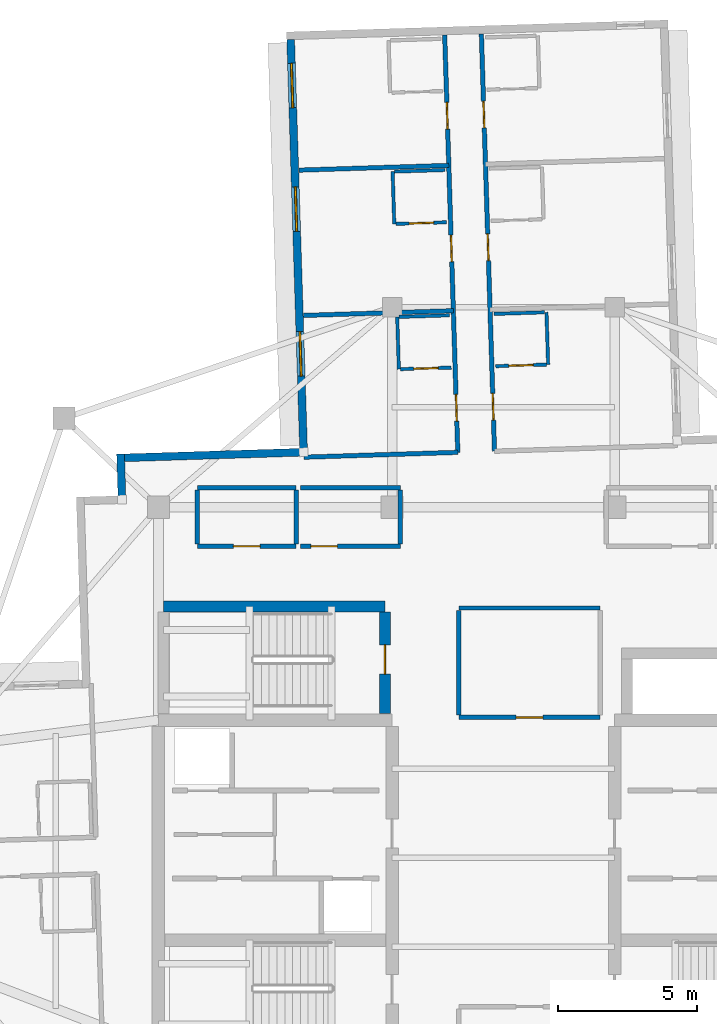
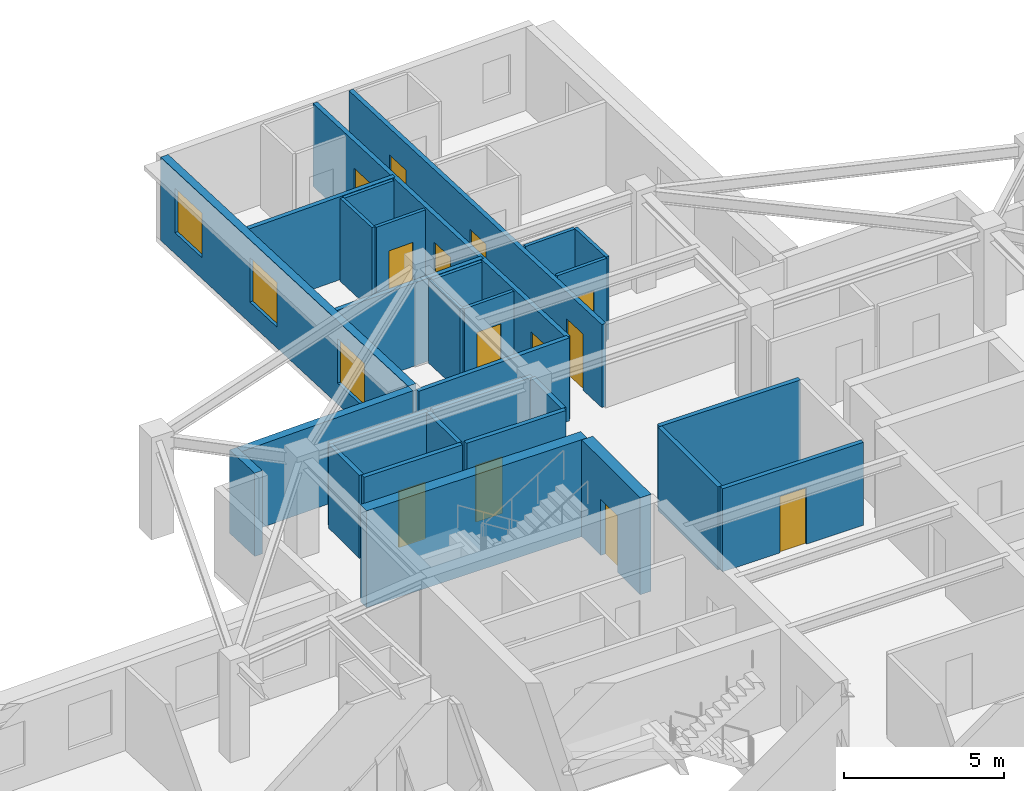
# One storey, part 7 of 13: 29 walls, 13 doors, 3 windows, 16 openings.
"""IFC4 building model written with IfcOpenShell, lengths in metres."""

from ifc_helpers import new_model, si_unit, direction, frame, frame_2d, origin, place, context, subcontext, project, spatial, rectangle, extrude, material, layer, layer_set, type_object, element, fill, save


model = new_model("IFC4")

# Units and contexts
model_context = context("Model", 3, precision=1e-05, world=origin(), true_north=direction((0.0, 1.0)))
body_context = subcontext(model_context, "Body", "Model", "MODEL_VIEW")
ifc_project = project(units=[si_unit("LENGTHUNIT", "METRE"), si_unit("AREAUNIT", "SQUARE_METRE"), si_unit("VOLUMEUNIT", "CUBIC_METRE"), si_unit("PLANEANGLEUNIT", "RADIAN"), si_unit("MASSUNIT", "GRAM", prefix="KILO")], contexts=[model_context])

# Site, building, storey
site_placement = place(None, origin())
site = spatial("IfcSite", under=ifc_project, at=site_placement, CompositionType="ELEMENT")
building_placement = place(site_placement, origin())
building = spatial("IfcBuilding", under=site, at=building_placement, Name="Qingluan Cross Belvedere", CompositionType="ELEMENT")
storey_placement = place(building_placement, frame((0.0, 0.0, 273.300048828125)))
storey = spatial("IfcBuildingStorey", under=building, at=storey_placement, Name="L68", CompositionType="ELEMENT", Elevation=273.300048828125)

# Wall
ifc_material_1 = material(Name="Concrete C50", Category="concrete")
ifc_layer_1 = layer(ifc_material_1, 0.449951171875, Name="CoreShearWall_450")
ifc_layer_set_1 = layer_set([ifc_layer_1], Name="Concrete C50")
wall_type_1 = type_object("IfcWallType", Name="CoreShearWall_450", PredefinedType="SHEAR", material=ifc_layer_set_1)
wall_1_placement = place(storey_placement, frame((-12.219970703125, 9.0400390625, 0.0), z_axis=(0.0, 0.0, 1.0), x_axis=(1.0, 0.0, 0.0)))
element("IfcWall", 1, at=wall_1_placement, inside=storey, type_object=wall_type_1, Name="Stair ST3 structural wall N L68", PredefinedType="SHEAR", context=body_context, shape_type="SweptSolid", body=[
    extrude(rectangle(XDim=7.9599609375, YDim=0.39990234375, at=frame_2d((3.97998046875, 0.0))), origin(), (0.0, 0.0, 1.0), 3.699951171875),
])

# Wall, opening, door
wall_2_placement = place(storey_placement, frame((-4.260009765625, 5.179931640625, 0.0), z_axis=(0.0, 0.0, 1.0), x_axis=(0.0, 1.0, 0.0)))
wall_2 = element("IfcWall", 2, at=wall_2_placement, inside=storey, type_object=wall_type_1, Name="Stair ST3 structural wall E L68", PredefinedType="SHEAR", context=body_context, shape_type="SweptSolid", body=[
    extrude(rectangle(XDim=3.655029296875, YDim=0.39990234375, at=frame_2d((1.82763671875, 0.0))), origin(), (0.0, 0.0, 1.0), 3.699951171875),
])
opening_1_placement = place(wall_2_placement, frame((1.419921875, 0.0, 0.0)))
opening_1 = element("IfcOpeningElement", 3, at=opening_1_placement, cuts=wall_2, Name="Opening FD-B11", PredefinedType="OPENING", context=body_context, shape_type="SweptSolid", body=[
    extrude(rectangle(XDim=1.050048828125, YDim=2.14990234375, at=frame_2d((0.52490234375, 1.074951171875))), frame((0.0, 0.2099609375, 0.0), z_axis=(0.0, -1.0, 0.0), x_axis=(1.0, 0.0, 0.0)), (0.0, 0.0, 1.0), 0.419921875),
])
ifc_material_2 = material(Name="Steel Class B smoke-seal fire door", Category="steel")
door_type_1 = type_object("IfcDoorType", Name="StairLobbyFireDoor_FDB", OperationType="NOTDEFINED", PredefinedType="DOOR", material=ifc_material_2)
door_1_placement = place(opening_1_placement, origin())
door_1 = element("IfcDoor", 4, at=door_1_placement, inside=storey, type_object=door_type_1, Name="Smoke-proof stair ST3 fire door L68", OperationType="SINGLE_SWING_RIGHT", OverallHeight=2.14990234375, OverallWidth=1.050048828125, PredefinedType="DOOR", context=body_context, shape_type="SweptSolid", body=[
    extrude(rectangle(XDim=1.050048828125, YDim=2.14990234375, at=frame_2d((0.52490234375, 1.074951171875))), frame((0.0, 0.02490234375, 0.0), z_axis=(0.0, -1.0, 0.0), x_axis=(1.0, 0.0, 0.0)), (0.0, 0.0, 1.0), 0.050048828125),
])
fill(opening_1, door_1)

ifc_material_3 = material(Name="Gypsum plasterboard on steel stud acoustic partition", Category="steel")
ifc_layer_2 = layer(ifc_material_3, 0.159912109375, Name="CorridorPartition_160")
ifc_layer_set_2 = layer_set([ifc_layer_2], Name="Gypsum plasterboard on steel stud acoustic partition")
wall_type_2 = type_object("IfcWallType", Name="CorridorPartition_160", PredefinedType="PARTITIONING", material=ifc_layer_set_2)
wall_3_placement = place(storey_placement, frame((-11.0, 11.199951171875, 0.0), z_axis=(0.0, 0.0, 1.0), x_axis=(1.0, 0.0, 0.0)))
wall_3 = element("IfcWall", 5, at=wall_3_placement, inside=storey, type_object=wall_type_2, Name="Partition L68:q_nw1:S", PredefinedType="PARTITIONING", context=body_context, shape_type="SweptSolid", body=[
    extrude(rectangle(XDim=3.550048828125, YDim=0.159912109375, at=frame_2d((1.77490234375, 0.0))), origin(), (0.0, 0.0, 1.0), 3.169921875),
])
opening_2_placement = place(wall_3_placement, frame((1.294921875, 0.0, 0.0)))
opening_2 = element("IfcOpeningElement", 6, at=opening_2_placement, cuts=wall_3, Name="Opening GD-10", PredefinedType="OPENING", context=body_context, shape_type="SweptSolid", body=[
    extrude(rectangle(XDim=0.9599609375, YDim=2.14990234375, at=frame_2d((0.47998046875, 1.074951171875))), frame((0.0, 0.08984375, 0.0), z_axis=(0.0, -1.0, 0.0), x_axis=(1.0, 0.0, 0.0)), (0.0, 0.0, 1.0), 0.179931640625),
])
ifc_material_4 = material(Name="Timber oak fire-rated acoustic guestroom door", Category="wood")
door_type_2 = type_object("IfcDoorType", Name="GuestEntryDoor_FD60", OperationType="NOTDEFINED", PredefinedType="DOOR", material=ifc_material_4)
door_2_placement = place(opening_2_placement, origin())
door_2 = element("IfcDoor", 7, at=door_2_placement, inside=storey, type_object=door_type_2, Name="Northwest sky parlor L68 door", OperationType="SINGLE_SWING_RIGHT", OverallHeight=2.14990234375, OverallWidth=0.9599609375, PredefinedType="DOOR", context=body_context, shape_type="SweptSolid", body=[
    extrude(rectangle(XDim=0.9599609375, YDim=2.14990234375, at=frame_2d((0.47998046875, 1.074951171875))), frame((0.0, 0.02490234375, 0.0), z_axis=(0.0, -1.0, 0.0), x_axis=(1.0, 0.0, 0.0)), (0.0, 0.0, 1.0), 0.050048828125),
])
fill(opening_2, door_2)

# Walls
wall_4_placement = place(storey_placement, frame((-11.0, 13.300048828125, 0.0), z_axis=(0.0, 0.0, 1.0), x_axis=(1.0, 0.0, 0.0)))
element("IfcWall", 8, at=wall_4_placement, inside=storey, type_object=wall_type_2, Name="Partition L68:q_nw1:N", PredefinedType="PARTITIONING", context=body_context, shape_type="SweptSolid", body=[
    extrude(rectangle(XDim=3.550048828125, YDim=0.159912109375, at=frame_2d((1.77490234375, 0.0))), origin(), (0.0, 0.0, 1.0), 3.169921875),
])
for number, where, z_axis, x_axis, name in (
    (9, (-11.0, 11.284912109375, 0.0), (0.0, 0.0, 1.0), (0.0, 1.0, 0.0), "Partition L68:q_nw1:W"),
    (10, (-7.449951171875, 11.284912109375, 0.0), (0.0, 0.0, 1.0), (0.0, 1.0, 0.0), "Partition L68:q_nw1:E"),
):
    element("IfcWall", number, at=place(storey_placement, frame(where, z_axis=z_axis, x_axis=x_axis)), inside=storey, type_object=wall_type_2, Name=name, PredefinedType="PARTITIONING", context=body_context, shape_type="SweptSolid", body=[
        extrude(rectangle(XDim=1.93017578125, YDim=0.159912109375, at=frame_2d((0.965087890625, 0.0))), origin(), (0.0, 0.0, 1.0), 3.169921875),
    ])

# Wall, opening, door
wall_5_placement = place(storey_placement, frame((-7.2900390625, 11.199951171875, 0.0), z_axis=(0.0, 0.0, 1.0), x_axis=(1.0, 0.0, 0.0)))
wall_5 = element("IfcWall", 11, at=wall_5_placement, inside=storey, type_object=wall_type_2, Name="Partition L68:q_nw2:S", PredefinedType="PARTITIONING", context=body_context, shape_type="SweptSolid", body=[
    extrude(rectangle(XDim=3.590087890625, YDim=0.159912109375, at=frame_2d((1.794921875, 0.0))), origin(), (0.0, 0.0, 1.0), 3.169921875),
])
opening_3_placement = place(wall_5_placement, frame((0.364990234375, 0.0, 0.0)))
opening_3 = element("IfcOpeningElement", 12, at=opening_3_placement, cuts=wall_5, Name="Opening GD-10", PredefinedType="OPENING", context=body_context, shape_type="SweptSolid", body=[
    extrude(rectangle(XDim=0.9599609375, YDim=2.14990234375, at=frame_2d((0.47998046875, 1.074951171875))), frame((0.0, 0.08984375, 0.0), z_axis=(0.0, -1.0, 0.0), x_axis=(1.0, 0.0, 0.0)), (0.0, 0.0, 1.0), 0.179931640625),
])
door_3_placement = place(opening_3_placement, origin())
door_3 = element("IfcDoor", 13, at=door_3_placement, inside=storey, type_object=door_type_2, Name="Northwest study salon L68 door", OperationType="SINGLE_SWING_LEFT", OverallHeight=2.14990234375, OverallWidth=0.9599609375, PredefinedType="DOOR", context=body_context, shape_type="SweptSolid", body=[
    extrude(rectangle(XDim=0.9599609375, YDim=2.14990234375, at=frame_2d((0.47998046875, 1.074951171875))), frame((0.0, 0.02490234375, 0.0), z_axis=(0.0, -1.0, 0.0), x_axis=(1.0, 0.0, 0.0)), (0.0, 0.0, 1.0), 0.050048828125),
])
fill(opening_3, door_3)

# Walls
wall_6_placement = place(storey_placement, frame((-7.2900390625, 13.300048828125, 0.0), z_axis=(0.0, 0.0, 1.0), x_axis=(1.0, 0.0, 0.0)))
element("IfcWall", 14, at=wall_6_placement, inside=storey, type_object=wall_type_2, Name="Partition L68:q_nw2:N", PredefinedType="PARTITIONING", context=body_context, shape_type="SweptSolid", body=[
    extrude(rectangle(XDim=3.590087890625, YDim=0.159912109375, at=frame_2d((1.794921875, 0.0))), origin(), (0.0, 0.0, 1.0), 3.169921875),
])
wall_7_placement = place(storey_placement, frame((-3.699951171875, 11.284912109375, 0.0), z_axis=(0.0, 0.0, 1.0), x_axis=(0.0, 1.0, 0.0)))
element("IfcWall", 15, at=wall_7_placement, inside=storey, type_object=wall_type_2, Name="Partition L68:q_nw2:E", PredefinedType="PARTITIONING", context=body_context, shape_type="SweptSolid", body=[
    extrude(rectangle(XDim=1.93017578125, YDim=0.159912109375, at=frame_2d((0.965087890625, 0.0))), origin(), (0.0, 0.0, 1.0), 3.169921875),
])

# Wall, opening, door
wall_8_placement = place(storey_placement, frame((-1.60009765625, 5.050048828125, 0.0), z_axis=(0.0, 0.0, 1.0), x_axis=(1.0, 0.0, 0.0)))
wall_8 = element("IfcWall", 16, at=wall_8_placement, inside=storey, type_object=wall_type_2, Name="Partition L68:sky_tea_alcove:S", PredefinedType="PARTITIONING", context=body_context, shape_type="SweptSolid", body=[
    extrude(rectangle(XDim=5.080078125, YDim=0.159912109375, at=frame_2d((2.5400390625, 0.0))), origin(), (0.0, 0.0, 1.0), 3.169921875),
])
opening_4_placement = place(wall_8_placement, frame((2.06005859375, 0.0, 0.0)))
opening_4 = element("IfcOpeningElement", 17, at=opening_4_placement, cuts=wall_8, Name="Opening GD-10", PredefinedType="OPENING", context=body_context, shape_type="SweptSolid", body=[
    extrude(rectangle(XDim=0.9599609375, YDim=2.14990234375, at=frame_2d((0.47998046875, 1.074951171875))), frame((0.0, 0.08984375, 0.0), z_axis=(0.0, -1.0, 0.0), x_axis=(1.0, 0.0, 0.0)), (0.0, 0.0, 1.0), 0.179931640625),
])
door_4_placement = place(opening_4_placement, origin())
door_4 = element("IfcDoor", 18, at=door_4_placement, inside=storey, type_object=door_type_2, Name="Sky horizon tea salon L68 door", OperationType="SINGLE_SWING_LEFT", OverallHeight=2.14990234375, OverallWidth=0.9599609375, PredefinedType="DOOR", context=body_context, shape_type="SweptSolid", body=[
    extrude(rectangle(XDim=0.9599609375, YDim=2.14990234375, at=frame_2d((0.47998046875, 1.074951171875))), frame((0.0, 0.02490234375, 0.0), z_axis=(0.0, -1.0, 0.0), x_axis=(1.0, 0.0, 0.0)), (0.0, 0.0, 1.0), 0.050048828125),
])
fill(opening_4, door_4)

# Walls
wall_9_placement = place(storey_placement, frame((-1.60009765625, 8.97998046875, 0.0), z_axis=(0.0, 0.0, 1.0), x_axis=(1.0, 0.0, 0.0)))
element("IfcWall", 19, at=wall_9_placement, inside=storey, type_object=wall_type_2, Name="Partition L68:sky_tea_alcove:N", PredefinedType="PARTITIONING", context=body_context, shape_type="SweptSolid", body=[
    extrude(rectangle(XDim=5.080078125, YDim=0.159912109375, at=frame_2d((2.5400390625, 0.0))), origin(), (0.0, 0.0, 1.0), 3.169921875),
])
wall_10_placement = place(storey_placement, frame((-1.60009765625, 5.135009765625, 0.0), z_axis=(0.0, 0.0, 1.0), x_axis=(0.0, 1.0, 0.0)))
element("IfcWall", 20, at=wall_10_placement, inside=storey, type_object=wall_type_2, Name="Partition L68:sky_tea_alcove:W", PredefinedType="PARTITIONING", context=body_context, shape_type="SweptSolid", body=[
    extrude(rectangle(XDim=3.760009765625, YDim=0.159912109375, at=frame_2d((1.8798828125, 0.0))), origin(), (0.0, 0.0, 1.0), 3.169921875),
])

# Wall, openings, doors
wall_11_placement = place(storey_placement, frame((-0.3193359375, 14.6171875, 0.0), z_axis=(0.0, 0.0, 1.0), x_axis=(-0.03142007044, 0.999506267701, 0.0)))
wall_11 = element("IfcWall", 21, at=wall_11_placement, inside=storey, type_object=wall_type_2, Name="Partition L68:N:c0", PredefinedType="PARTITIONING", context=body_context, shape_type="SweptSolid", body=[
    extrude(rectangle(XDim=15.011962890625, YDim=0.159912109375, at=frame_2d((7.505859375, 0.0))), origin(), (0.0, 0.0, 1.0), 3.169921875),
])
opening_5_placement = place(wall_11_placement, frame((1.1220703125, 0.0, 0.0)))
opening_5 = element("IfcOpeningElement", 22, at=opening_5_placement, cuts=wall_11, Name="Opening GD-10", PredefinedType="OPENING", context=body_context, shape_type="SweptSolid", body=[
    extrude(rectangle(XDim=0.9599609375, YDim=2.14990234375, at=frame_2d((0.47998046875, 1.074951171875))), frame((0.0, 0.08984375, 0.0), z_axis=(0.0, -1.0, 0.0), x_axis=(1.0, 0.0, 0.0)), (0.0, 0.0, 1.0), 0.179931640625),
])
opening_6_placement = place(wall_11_placement, frame((6.85791015625, 0.0, 0.0)))
opening_6 = element("IfcOpeningElement", 23, at=opening_6_placement, cuts=wall_11, Name="Opening GD-10", PredefinedType="OPENING", context=body_context, shape_type="SweptSolid", body=[
    extrude(rectangle(XDim=0.9599609375, YDim=2.14990234375, at=frame_2d((0.47998046875, 1.074951171875))), frame((0.0, 0.08984375, 0.0), z_axis=(0.0, -1.0, 0.0), x_axis=(1.0, 0.0, 0.0)), (0.0, 0.0, 1.0), 0.179931640625),
])
opening_7_placement = place(wall_11_placement, frame((11.6279296875, 0.0, 0.0)))
opening_7 = element("IfcOpeningElement", 24, at=opening_7_placement, cuts=wall_11, Name="Opening GD-10", PredefinedType="OPENING", context=body_context, shape_type="SweptSolid", body=[
    extrude(rectangle(XDim=0.9599609375, YDim=2.14990234375, at=frame_2d((0.47998046875, 1.074951171875))), frame((0.0, 0.08984375, 0.0), z_axis=(0.0, -1.0, 0.0), x_axis=(1.0, 0.0, 0.0)), (0.0, 0.0, 1.0), 0.179931640625),
])
door_5_placement = place(opening_5_placement, origin())
door_5 = element("IfcDoor", 25, at=door_5_placement, inside=storey, type_object=door_type_2, Name="Guest entry fire door 6809", OperationType="SINGLE_SWING_LEFT", OverallHeight=2.14990234375, OverallWidth=0.9599609375, PredefinedType="DOOR", context=body_context, shape_type="SweptSolid", body=[
    extrude(rectangle(XDim=0.9599609375, YDim=2.14990234375, at=frame_2d((0.47998046875, 1.074951171875))), frame((0.0, 0.02490234375, 0.0), z_axis=(0.0, -1.0, 0.0), x_axis=(1.0, 0.0, 0.0)), (0.0, 0.0, 1.0), 0.050048828125),
])
fill(opening_5, door_5)
door_6_placement = place(opening_6_placement, origin())
door_6 = element("IfcDoor", 26, at=door_6_placement, inside=storey, type_object=door_type_2, Name="Guest entry fire door 6810", OperationType="SINGLE_SWING_LEFT", OverallHeight=2.14990234375, OverallWidth=0.9599609375, PredefinedType="DOOR", context=body_context, shape_type="SweptSolid", body=[
    extrude(rectangle(XDim=0.9599609375, YDim=2.14990234375, at=frame_2d((0.47998046875, 1.074951171875))), frame((0.0, 0.02490234375, 0.0), z_axis=(0.0, -1.0, 0.0), x_axis=(1.0, 0.0, 0.0)), (0.0, 0.0, 1.0), 0.050048828125),
])
fill(opening_6, door_6)
door_7_placement = place(opening_7_placement, origin())
door_7 = element("IfcDoor", 27, at=door_7_placement, inside=storey, type_object=door_type_2, Name="Guest entry fire door 6811", OperationType="SINGLE_SWING_LEFT", OverallHeight=2.14990234375, OverallWidth=0.9599609375, PredefinedType="DOOR", context=body_context, shape_type="SweptSolid", body=[
    extrude(rectangle(XDim=0.9599609375, YDim=2.14990234375, at=frame_2d((0.47998046875, 1.074951171875))), frame((0.0, 0.02490234375, 0.0), z_axis=(0.0, -1.0, 0.0), x_axis=(1.0, 0.0, 0.0)), (0.0, 0.0, 1.0), 0.050048828125),
])
fill(opening_7, door_7)

wall_12_placement = place(storey_placement, frame((-1.638671875, 14.57568359375, 0.0), z_axis=(0.0, 0.0, 1.0), x_axis=(-0.031403823507, 0.999506778301, 0.0)))
wall_12 = element("IfcWall", 28, at=wall_12_placement, inside=storey, type_object=wall_type_2, Name="Partition L68:N:c1", PredefinedType="PARTITIONING", context=body_context, shape_type="SweptSolid", body=[
    extrude(rectangle(XDim=15.011962890625, YDim=0.159912109375, at=frame_2d((7.505859375, 0.0))), origin(), (0.0, 0.0, 1.0), 3.169921875),
])
opening_8_placement = place(wall_12_placement, frame((1.1220703125, 0.0, 0.0)))
opening_8 = element("IfcOpeningElement", 29, at=opening_8_placement, cuts=wall_12, Name="Opening GD-10", PredefinedType="OPENING", context=body_context, shape_type="SweptSolid", body=[
    extrude(rectangle(XDim=0.9599609375, YDim=2.14990234375, at=frame_2d((0.47998046875, 1.074951171875))), frame((0.0, 0.08984375, 0.0), z_axis=(0.0, -1.0, 0.0), x_axis=(1.0, 0.0, 0.0)), (0.0, 0.0, 1.0), 0.179931640625),
])
opening_9_placement = place(wall_12_placement, frame((6.85791015625, 0.0, 0.0)))
opening_9 = element("IfcOpeningElement", 30, at=opening_9_placement, cuts=wall_12, Name="Opening GD-10", PredefinedType="OPENING", context=body_context, shape_type="SweptSolid", body=[
    extrude(rectangle(XDim=0.9599609375, YDim=2.14990234375, at=frame_2d((0.47998046875, 1.074951171875))), frame((0.0, 0.08984375, 0.0), z_axis=(0.0, -1.0, 0.0), x_axis=(1.0, 0.0, 0.0)), (0.0, 0.0, 1.0), 0.179931640625),
])
opening_10_placement = place(wall_12_placement, frame((11.6279296875, 0.0, 0.0)))
opening_10 = element("IfcOpeningElement", 31, at=opening_10_placement, cuts=wall_12, Name="Opening GD-10", PredefinedType="OPENING", context=body_context, shape_type="SweptSolid", body=[
    extrude(rectangle(XDim=0.9599609375, YDim=2.14990234375, at=frame_2d((0.47998046875, 1.074951171875))), frame((0.0, 0.08984375, 0.0), z_axis=(0.0, -1.0, 0.0), x_axis=(1.0, 0.0, 0.0)), (0.0, 0.0, 1.0), 0.179931640625),
])
door_8_placement = place(opening_8_placement, origin())
door_8 = element("IfcDoor", 32, at=door_8_placement, inside=storey, type_object=door_type_2, Name="Guest entry fire door 6812", OperationType="SINGLE_SWING_LEFT", OverallHeight=2.14990234375, OverallWidth=0.9599609375, PredefinedType="DOOR", context=body_context, shape_type="SweptSolid", body=[
    extrude(rectangle(XDim=0.9599609375, YDim=2.14990234375, at=frame_2d((0.47998046875, 1.074951171875))), frame((0.0, 0.02490234375, 0.0), z_axis=(0.0, -1.0, 0.0), x_axis=(1.0, 0.0, 0.0)), (0.0, 0.0, 1.0), 0.050048828125),
])
fill(opening_8, door_8)
door_9_placement = place(opening_9_placement, origin())
door_9 = element("IfcDoor", 33, at=door_9_placement, inside=storey, type_object=door_type_2, Name="Guest entry fire door 6813", OperationType="SINGLE_SWING_LEFT", OverallHeight=2.14990234375, OverallWidth=0.9599609375, PredefinedType="DOOR", context=body_context, shape_type="SweptSolid", body=[
    extrude(rectangle(XDim=0.9599609375, YDim=2.14990234375, at=frame_2d((0.47998046875, 1.074951171875))), frame((0.0, 0.02490234375, 0.0), z_axis=(0.0, -1.0, 0.0), x_axis=(1.0, 0.0, 0.0)), (0.0, 0.0, 1.0), 0.050048828125),
])
fill(opening_9, door_9)
door_10_placement = place(opening_10_placement, origin())
door_10 = element("IfcDoor", 34, at=door_10_placement, inside=storey, type_object=door_type_2, Name="Guest entry fire door 6814", OperationType="SINGLE_SWING_LEFT", OverallHeight=2.14990234375, OverallWidth=0.9599609375, PredefinedType="DOOR", context=body_context, shape_type="SweptSolid", body=[
    extrude(rectangle(XDim=0.9599609375, YDim=2.14990234375, at=frame_2d((0.47998046875, 1.074951171875))), frame((0.0, 0.02490234375, 0.0), z_axis=(0.0, -1.0, 0.0), x_axis=(1.0, 0.0, 0.0)), (0.0, 0.0, 1.0), 0.050048828125),
])
fill(opening_10, door_10)

# Walls
wall_13_placement = place(storey_placement, frame((-1.638671875, 14.57568359375, 0.0), z_axis=(0.0, 0.0, 1.0), x_axis=(-0.999506211244, -0.031421866341, 0.0)))
element("IfcWall", 35, at=wall_13_placement, inside=storey, type_object=wall_type_2, Name="Partition L68:N:s1", PredefinedType="PARTITIONING", context=body_context, shape_type="SweptSolid", body=[
    extrude(rectangle(XDim=5.539794921875, YDim=0.159912109375, at=frame_2d((2.77001953125, 0.0))), origin(), (0.0, 0.0, 1.0), 3.169921875),
])
for number, where, z_axis, x_axis, name in (
    (36, (-1.798583984375, 19.667236328125, 0.0), (0.0, 0.0, 1.0), (-0.999506183343, -0.03142275385, 0.0), "Partition L68:N:d1_0"),
    (37, (-1.962890625, 24.8916015625, 0.0), (0.0, 0.0, 1.0), (-0.999506183343, -0.03142275385, 0.0), "Partition L68:N:d1_1"),
):
    element("IfcWall", number, at=place(storey_placement, frame(where, z_axis=z_axis, x_axis=x_axis)), inside=storey, type_object=wall_type_2, Name=name, PredefinedType="PARTITIONING", context=body_context, shape_type="SweptSolid", body=[
        extrude(rectangle(XDim=5.39208984375, YDim=0.159912109375, at=frame_2d((2.696044921875, 0.0))), origin(), (0.0, 0.0, 1.0), 3.169921875),
    ])

# Wall, opening, door
ifc_material_5 = material(Name="Moisture-resistant gypsum board lining")
ifc_layer_3 = layer(ifc_material_5, 0.1201171875, Name="EnsuiteWetPartition_120")
ifc_layer_set_3 = layer_set([ifc_layer_3], Name="Moisture-resistant gypsum board lining")
wall_type_3 = type_object("IfcWallType", Name="EnsuiteWetPartition_120", PredefinedType="PARTITIONING", material=ifc_layer_set_3)
wall_14_placement = place(storey_placement, frame((-0.275390625, 17.674072265625, 0.0), z_axis=(0.0, 0.0, 1.0), x_axis=(0.999507221803, 0.031389704724, 0.0)))
wall_14 = element("IfcWall", 38, at=wall_14_placement, inside=storey, type_object=wall_type_3, Name="Partition L68:N:bs0_0", PredefinedType="PARTITIONING", context=body_context, shape_type="SweptSolid", body=[
    extrude(rectangle(XDim=1.820068359375, YDim=0.1201171875, at=frame_2d((0.91015625, 0.0))), origin(), (0.0, 0.0, 1.0), 3.169921875),
])
opening_11_placement = place(wall_14_placement, frame((0.469970703125, 0.0, 0.0)))
opening_11 = element("IfcOpeningElement", 39, at=opening_11_placement, cuts=wall_14, Name="Opening BD-09", PredefinedType="OPENING", context=body_context, shape_type="SweptSolid", body=[
    extrude(rectangle(XDim=0.8798828125, YDim=2.10009765625, at=frame_2d((0.43994140625, 1.050048828125))), frame((0.0, 0.070068359375, 0.0), z_axis=(0.0, -1.0, 0.0), x_axis=(1.0, 0.0, 0.0)), (0.0, 0.0, 1.0), 0.14013671875),
])
ifc_material_6 = material(Name="Moisture-sealed timber en-suite door", Category="wood")
door_type_3 = type_object("IfcDoorType", Name="BathroomDoor_880", OperationType="NOTDEFINED", PredefinedType="DOOR", material=ifc_material_6)
door_11_placement = place(opening_11_placement, origin())
door_11 = element("IfcDoor", 40, at=door_11_placement, inside=storey, type_object=door_type_3, Name="Bathroom door 6809", OperationType="SINGLE_SWING_RIGHT", OverallHeight=2.10009765625, OverallWidth=0.8798828125, PredefinedType="DOOR", context=body_context, shape_type="SweptSolid", body=[
    extrude(rectangle(XDim=0.8798828125, YDim=2.10009765625, at=frame_2d((0.43994140625, 1.050048828125))), frame((0.0, 0.02490234375, 0.0), z_axis=(0.0, -1.0, 0.0), x_axis=(1.0, 0.0, 0.0)), (0.0, 0.0, 1.0), 0.050048828125),
])
fill(opening_11, door_11)

# Walls
wall_15_placement = place(storey_placement, frame((-0.334228515625, 19.552978515625, 0.0), z_axis=(0.0, 0.0, 1.0), x_axis=(0.999503004171, 0.03152371574, 0.0)))
element("IfcWall", 41, at=wall_15_placement, inside=storey, type_object=wall_type_3, Name="Partition L68:N:bw0_0", PredefinedType="PARTITIONING", context=body_context, shape_type="SweptSolid", body=[
    extrude(rectangle(XDim=1.820068359375, YDim=0.1201171875, at=frame_2d((0.91015625, 0.0))), origin(), (0.0, 0.0, 1.0), 3.169921875),
])
wall_16_placement = place(storey_placement, frame((1.60888671875, 17.7333984375, 0.0), z_axis=(0.0, 0.0, 1.0), x_axis=(-0.031429371883, 0.999505975261, 0.0)))
element("IfcWall", 42, at=wall_16_placement, inside=storey, type_object=wall_type_3, Name="Partition L68:N:bn0_0", PredefinedType="PARTITIONING", context=body_context, shape_type="SweptSolid", body=[
    extrude(rectangle(XDim=1.8798828125, YDim=0.1201171875, at=frame_2d((0.93994140625, 0.0))), origin(), (0.0, 0.0, 1.0), 3.169921875),
])

# Wall, opening, door
wall_17_placement = place(storey_placement, frame((-3.693603515625, 17.566650390625, 0.0), z_axis=(0.0, 0.0, 1.0), x_axis=(0.999507221803, 0.031389704724, 0.0)))
wall_17 = element("IfcWall", 43, at=wall_17_placement, inside=storey, type_object=wall_type_3, Name="Partition L68:N:bs1_0", PredefinedType="PARTITIONING", context=body_context, shape_type="SweptSolid", body=[
    extrude(rectangle(XDim=1.820068359375, YDim=0.1201171875, at=frame_2d((0.91015625, 0.0))), origin(), (0.0, 0.0, 1.0), 3.169921875),
])
opening_12_placement = place(wall_17_placement, frame((0.469970703125, 0.0, 0.0)))
opening_12 = element("IfcOpeningElement", 44, at=opening_12_placement, cuts=wall_17, Name="Opening BD-09", PredefinedType="OPENING", context=body_context, shape_type="SweptSolid", body=[
    extrude(rectangle(XDim=0.8798828125, YDim=2.10009765625, at=frame_2d((0.43994140625, 1.050048828125))), frame((0.0, 0.070068359375, 0.0), z_axis=(0.0, -1.0, 0.0), x_axis=(1.0, 0.0, 0.0)), (0.0, 0.0, 1.0), 0.14013671875),
])
door_12_placement = place(opening_12_placement, origin())
door_12 = element("IfcDoor", 45, at=door_12_placement, inside=storey, type_object=door_type_3, Name="Bathroom door 6812", OperationType="SINGLE_SWING_RIGHT", OverallHeight=2.10009765625, OverallWidth=0.8798828125, PredefinedType="DOOR", context=body_context, shape_type="SweptSolid", body=[
    extrude(rectangle(XDim=0.8798828125, YDim=2.10009765625, at=frame_2d((0.43994140625, 1.050048828125))), frame((0.0, 0.02490234375, 0.0), z_axis=(0.0, -1.0, 0.0), x_axis=(1.0, 0.0, 0.0)), (0.0, 0.0, 1.0), 0.050048828125),
])
fill(opening_12, door_12)

# Walls
wall_18_placement = place(storey_placement, frame((-3.752685546875, 19.44580078125, 0.0), z_axis=(0.0, 0.0, 1.0), x_axis=(0.999507221803, 0.031389704724, 0.0)))
element("IfcWall", 46, at=wall_18_placement, inside=storey, type_object=wall_type_3, Name="Partition L68:N:bw1_0", PredefinedType="PARTITIONING", context=body_context, shape_type="SweptSolid", body=[
    extrude(rectangle(XDim=1.820068359375, YDim=0.1201171875, at=frame_2d((0.91015625, 0.0))), origin(), (0.0, 0.0, 1.0), 3.169921875),
])
wall_19_placement = place(storey_placement, frame((-3.758544921875, 17.564697265625, 0.0), z_axis=(0.0, 0.0, 1.0), x_axis=(-0.031429371883, 0.999505975261, 0.0)))
element("IfcWall", 47, at=wall_19_placement, inside=storey, type_object=wall_type_3, Name="Partition L68:N:bc1_0", PredefinedType="PARTITIONING", context=body_context, shape_type="SweptSolid", body=[
    extrude(rectangle(XDim=1.8798828125, YDim=0.1201171875, at=frame_2d((0.93994140625, 0.0))), origin(), (0.0, 0.0, 1.0), 3.169921875),
])

# Wall, opening, door
wall_20_placement = place(storey_placement, frame((-3.85791015625, 22.791015625, 0.0), z_axis=(0.0, 0.0, 1.0), x_axis=(0.999507221803, 0.031389704724, 0.0)))
wall_20 = element("IfcWall", 48, at=wall_20_placement, inside=storey, type_object=wall_type_3, Name="Partition L68:N:bs1_1", PredefinedType="PARTITIONING", context=body_context, shape_type="SweptSolid", body=[
    extrude(rectangle(XDim=1.820068359375, YDim=0.1201171875, at=frame_2d((0.91015625, 0.0))), origin(), (0.0, 0.0, 1.0), 3.169921875),
])
opening_13_placement = place(wall_20_placement, frame((0.469970703125, 0.0, 0.0)))
opening_13 = element("IfcOpeningElement", 49, at=opening_13_placement, cuts=wall_20, Name="Opening BD-09", PredefinedType="OPENING", context=body_context, shape_type="SweptSolid", body=[
    extrude(rectangle(XDim=0.8798828125, YDim=2.10009765625, at=frame_2d((0.43994140625, 1.050048828125))), frame((0.0, 0.070068359375, 0.0), z_axis=(0.0, -1.0, 0.0), x_axis=(1.0, 0.0, 0.0)), (0.0, 0.0, 1.0), 0.14013671875),
])
door_13_placement = place(opening_13_placement, origin())
door_13 = element("IfcDoor", 50, at=door_13_placement, inside=storey, type_object=door_type_3, Name="Bathroom door 6813", OperationType="SINGLE_SWING_RIGHT", OverallHeight=2.10009765625, OverallWidth=0.8798828125, PredefinedType="DOOR", context=body_context, shape_type="SweptSolid", body=[
    extrude(rectangle(XDim=0.8798828125, YDim=2.10009765625, at=frame_2d((0.43994140625, 1.050048828125))), frame((0.0, 0.02490234375, 0.0), z_axis=(0.0, -1.0, 0.0), x_axis=(1.0, 0.0, 0.0)), (0.0, 0.0, 1.0), 0.050048828125),
])
fill(opening_13, door_13)

# Walls
wall_21_placement = place(storey_placement, frame((-3.916748046875, 24.670166015625, 0.0), z_axis=(0.0, 0.0, 1.0), x_axis=(0.999507221803, 0.031389704724, 0.0)))
element("IfcWall", 51, at=wall_21_placement, inside=storey, type_object=wall_type_3, Name="Partition L68:N:bw1_1", PredefinedType="PARTITIONING", context=body_context, shape_type="SweptSolid", body=[
    extrude(rectangle(XDim=1.820068359375, YDim=0.1201171875, at=frame_2d((0.91015625, 0.0))), origin(), (0.0, 0.0, 1.0), 3.169921875),
])
wall_22_placement = place(storey_placement, frame((-3.9228515625, 22.7890625, 0.0), z_axis=(0.0, 0.0, 1.0), x_axis=(-0.031295563454, 0.999510173889, 0.0)))
element("IfcWall", 52, at=wall_22_placement, inside=storey, type_object=wall_type_3, Name="Partition L68:N:bc1_1", PredefinedType="PARTITIONING", context=body_context, shape_type="SweptSolid", body=[
    extrude(rectangle(XDim=1.880126953125, YDim=0.1201171875, at=frame_2d((0.93994140625, 0.0))), origin(), (0.0, 0.0, 1.0), 3.169921875),
])

# Wall, openings, windows
ifc_material_7 = material(Name="Precast concrete C45", Category="concrete")
ifc_layer_4 = layer(ifc_material_7, 0.280029296875, Name="PrecastFacadeWall_280")
ifc_layer_set_4 = layer_set([ifc_layer_4], Name="Precast concrete C45")
wall_type_4 = type_object("IfcWallType", Name="PrecastFacadeWall_280", PredefinedType="STANDARD", material=ifc_layer_set_4)
wall_23_placement = place(storey_placement, frame((-7.647705078125, 29.414306640625, 0.0), z_axis=(0.0, 0.0, 1.0), x_axis=(0.031405855522, -0.999506714454, 0.0)))
wall_23 = element("IfcWall", 53, at=wall_23_placement, inside=storey, type_object=wall_type_4, Name="Facade wall L68-NB", PredefinedType="STANDARD", context=body_context, shape_type="SweptSolid", body=[
    extrude(rectangle(XDim=14.7001953125, YDim=0.280029296875, at=frame_2d((7.35009765625, 0.0))), origin(), (0.0, 0.0, 1.0), 3.179931640625),
])
opening_14_placement = place(wall_23_placement, frame((0.85009765625, 0.0, 0.800048828125)))
opening_14 = element("IfcOpeningElement", 54, at=opening_14_placement, cuts=wall_23, Name="Opening W-04", PredefinedType="OPENING", context=body_context, shape_type="SweptSolid", body=[
    extrude(rectangle(XDim=1.60009765625, YDim=1.699951171875, at=frame_2d((0.800048828125, 0.85009765625))), frame((0.0, 0.14990234375, 0.0), z_axis=(0.0, -1.0, 0.0), x_axis=(1.0, 0.0, 0.0)), (0.0, 0.0, 1.0), 0.300048828125),
])
opening_15_placement = place(wall_23_placement, frame((5.300048828125, 0.0, 0.800048828125)))
opening_15 = element("IfcOpeningElement", 55, at=opening_15_placement, cuts=wall_23, Name="Opening W-04", PredefinedType="OPENING", context=body_context, shape_type="SweptSolid", body=[
    extrude(rectangle(XDim=1.60009765625, YDim=1.699951171875, at=frame_2d((0.800048828125, 0.85009765625))), frame((0.0, 0.14990234375, 0.0), z_axis=(0.0, -1.0, 0.0), x_axis=(1.0, 0.0, 0.0)), (0.0, 0.0, 1.0), 0.300048828125),
])
opening_16_placement = place(wall_23_placement, frame((10.5, 0.0, 0.800048828125)))
opening_16 = element("IfcOpeningElement", 56, at=opening_16_placement, cuts=wall_23, Name="Opening W-04", PredefinedType="OPENING", context=body_context, shape_type="SweptSolid", body=[
    extrude(rectangle(XDim=1.60009765625, YDim=1.699951171875, at=frame_2d((0.800048828125, 0.85009765625))), frame((0.0, 0.14990234375, 0.0), z_axis=(0.0, -1.0, 0.0), x_axis=(1.0, 0.0, 0.0)), (0.0, 0.0, 1.0), 0.300048828125),
])
ifc_material_8 = material(Name="Thermally broken triple Low-E glass in aluminium frame", Category="aluminium")
window_type = type_object("IfcWindowType", Name="SuiteCornerWin_1600x1700", PartitioningType="SINGLE_PANEL", PredefinedType="WINDOW", material=ifc_material_8)
window_1_placement = place(opening_14_placement, origin())
window_1 = element("IfcWindow", 57, at=window_1_placement, inside=storey, type_object=window_type, Name="Ribbon window L68-NB-1", OverallHeight=1.699951171875, OverallWidth=1.60009765625, PartitioningType="SINGLE_PANEL", PredefinedType="WINDOW", context=body_context, shape_type="SweptSolid", body=[
    extrude(rectangle(XDim=1.60009765625, YDim=1.699951171875, at=frame_2d((0.800048828125, 0.85009765625))), frame((0.0, 0.030029296875, 0.0), z_axis=(0.0, -1.0, 0.0), x_axis=(1.0, 0.0, 0.0)), (0.0, 0.0, 1.0), 0.06005859375),
])
fill(opening_14, window_1)
window_2_placement = place(opening_15_placement, origin())
window_2 = element("IfcWindow", 58, at=window_2_placement, inside=storey, type_object=window_type, Name="Ribbon window L68-NB-2", OverallHeight=1.699951171875, OverallWidth=1.60009765625, PartitioningType="SINGLE_PANEL", PredefinedType="WINDOW", context=body_context, shape_type="SweptSolid", body=[
    extrude(rectangle(XDim=1.60009765625, YDim=1.699951171875, at=frame_2d((0.800048828125, 0.85009765625))), frame((0.0, 0.030029296875, 0.0), z_axis=(0.0, -1.0, 0.0), x_axis=(1.0, 0.0, 0.0)), (0.0, 0.0, 1.0), 0.06005859375),
])
fill(opening_15, window_2)
window_3_placement = place(opening_16_placement, origin())
window_3 = element("IfcWindow", 59, at=window_3_placement, inside=storey, type_object=window_type, Name="Ribbon window L68-NB-3", OverallHeight=1.699951171875, OverallWidth=1.60009765625, PartitioningType="SINGLE_PANEL", PredefinedType="WINDOW", context=body_context, shape_type="SweptSolid", body=[
    extrude(rectangle(XDim=1.60009765625, YDim=1.699951171875, at=frame_2d((0.800048828125, 0.85009765625))), frame((0.0, 0.030029296875, 0.0), z_axis=(0.0, -1.0, 0.0), x_axis=(1.0, 0.0, 0.0)), (0.0, 0.0, 1.0), 0.06005859375),
])
fill(opening_16, window_3)

# Walls
wall_24_placement = place(storey_placement, frame((-13.715576171875, 13.015625, 0.0), z_axis=(0.0, 0.0, 1.0), x_axis=(-0.031412596484, 0.999506502621, 0.0)))
element("IfcWall", 60, at=wall_24_placement, inside=storey, type_object=wall_type_4, Name="Corner wall L68-NW3", PredefinedType="STANDARD", context=body_context, shape_type="SweptSolid", body=[
    extrude(rectangle(XDim=1.5, YDim=0.280029296875, at=frame_2d((0.75, 0.0))), origin(), (0.0, 0.0, 1.0), 3.179931640625),
])
wall_25_placement = place(storey_placement, frame((-13.618408203125, 14.37939453125, 0.0), z_axis=(0.0, 0.0, 1.0), x_axis=(0.999507224741, 0.031389611199, 0.0)))
element("IfcWall", 61, at=wall_25_placement, inside=storey, type_object=wall_type_4, Name="Corner wall L68-NW4", PredefinedType="STANDARD", context=body_context, shape_type="SweptSolid", body=[
    extrude(rectangle(XDim=6.300048828125, YDim=0.280029296875, at=frame_2d((3.14990234375, 0.0))), origin(), (0.0, 0.0, 1.0), 3.179931640625),
])

save(model, "model.ifc")
